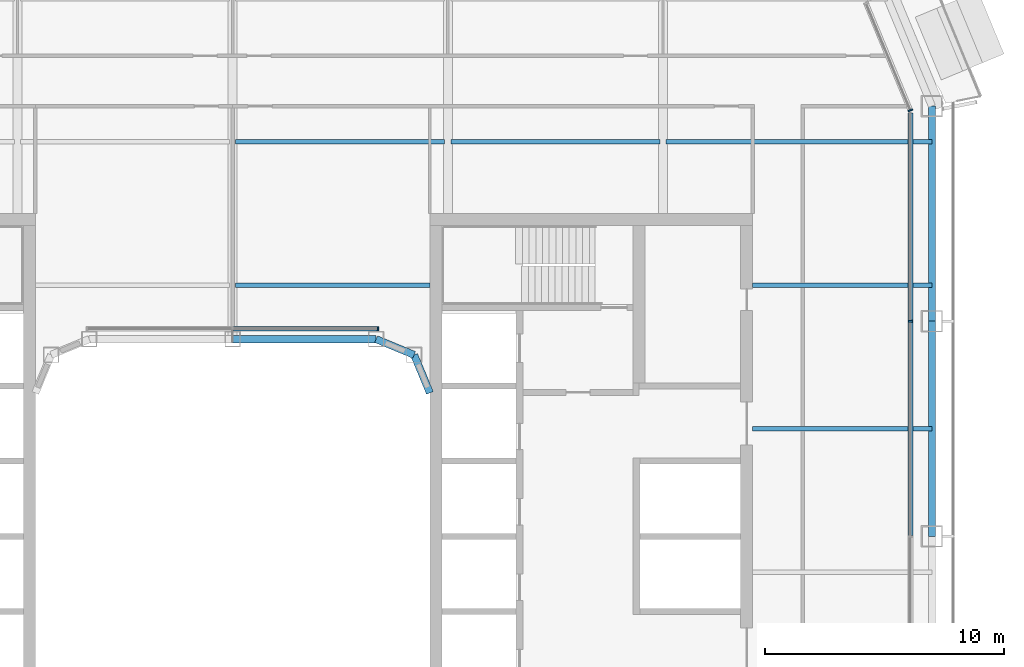
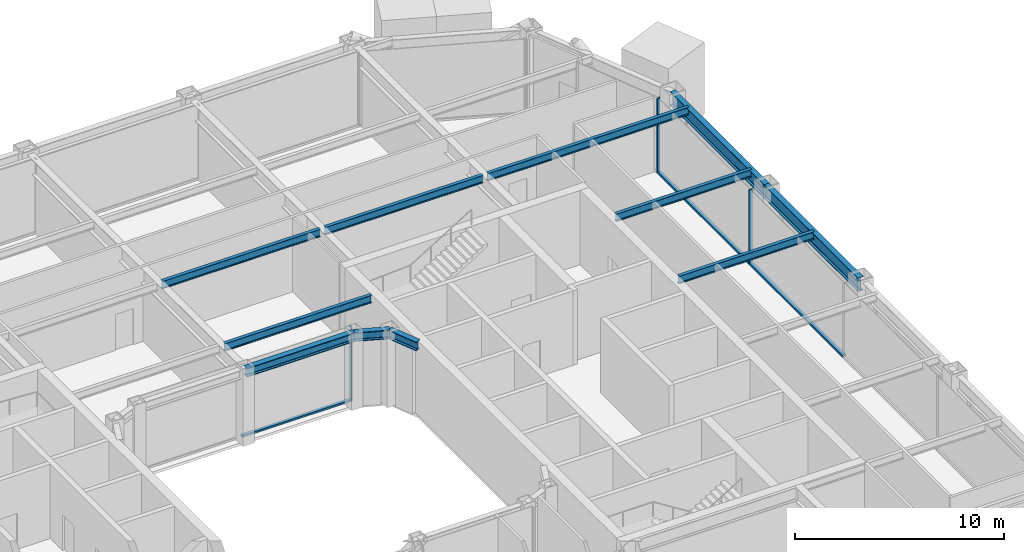
# One storey, part 8 of 23: 11 beams, 6 members, 3 elements without a shape of their own.
"""IFC4 building model written with IfcOpenShell, lengths in metres."""

from ifc_helpers import new_model, si_unit, direction, frame, origin, origin_2d, place, context, subcontext, project, spatial, rectangle, i_section, extrude, material, layer, layer_set, material_profile, profile_set, type_object, element, aggregate, save


model = new_model("IFC4")

# Units and contexts
model_context = context("Model", 3, precision=1e-05, world=origin(), true_north=direction((0.0, 1.0)))
body_context = subcontext(model_context, "Body", "Model", "MODEL_VIEW")
ifc_project = project(units=[si_unit("LENGTHUNIT", "METRE"), si_unit("AREAUNIT", "SQUARE_METRE"), si_unit("VOLUMEUNIT", "CUBIC_METRE"), si_unit("PLANEANGLEUNIT", "RADIAN"), si_unit("MASSUNIT", "GRAM", prefix="KILO")], contexts=[model_context])

# Site, building, storey
site_placement = place(None, origin())
site = spatial("IfcSite", under=ifc_project, at=site_placement, CompositionType="ELEMENT")
building_placement = place(site_placement, origin())
building = spatial("IfcBuilding", under=site, at=building_placement, Name="Siwar Civic Tower", CompositionType="ELEMENT")
storey_placement = place(building_placement, frame((0.0, 0.0, 167.699951171875)))
storey = spatial("IfcBuildingStorey", under=building, at=storey_placement, Name="L36", CompositionType="ELEMENT", Elevation=167.699951171875)

# Curtain wall, member
ifc_material_1 = material(Name="Aluminium and glass", Category="aluminium")
ifc_layer_1 = layer(ifc_material_1, 0.199951171875)
ifc_layer_set_1 = layer_set([ifc_layer_1], Name="Aluminium and glass")
curtain_wall_type_1 = type_object("IfcCurtainWallType", Name="ENV-CW-B", PredefinedType="NOTDEFINED", material=ifc_layer_set_1)
curtain_wall_1_placement = place(storey_placement, origin())
curtain_wall_1 = element("IfcCurtainWall", 1, at=curtain_wall_1_placement, inside=storey, type_object=curtain_wall_type_1, Name="Curtain wall B E", PredefinedType="NOTDEFINED")
ifc_material_2 = material(Name="Aluminium 6063-T6", Category="aluminium")
ifc_material_profile_1 = material_profile(ifc_material_2, rectangle(XDim=0.199951171875, YDim=0.06494140625, at=origin_2d()), Name="AL 200x65")
ifc_profile_set_1 = profile_set([ifc_material_profile_1], Name="Aluminium 6063-T6")
member_type_1 = type_object("IfcMemberType", Name="ENV-MULLION-B", PredefinedType="MULLION", material=ifc_profile_set_1)
member_1_placement = place(storey_placement, frame((28.35009765625, 9.0, 0.0), z_axis=(0.0, 0.0, 1.0), x_axis=(-1.0, 0.0, 0.0)))
member_1 = element("IfcMember", 2, at=member_1_placement, type_object=member_type_1, Name="Mullion B E 4", PredefinedType="MULLION", context=body_context, shape_type="SweptSolid", body=[
    extrude(rectangle(XDim=0.199951171875, YDim=0.06494140625, at=origin_2d()), origin(), (0.0, 0.0, 1.0), 4.35009765625),
])

ifc_material_3 = material(Name="Aluminium clad insulated panel", Category="aluminium")
ifc_layer_2 = layer(ifc_material_3, 0.199951171875)
ifc_layer_set_2 = layer_set([ifc_layer_2], Name="Aluminium clad insulated panel")
curtain_wall_type_2 = type_object("IfcCurtainWallType", Name="ENV-CW-BX", PredefinedType="NOTDEFINED", material=ifc_layer_set_2)
curtain_wall_2_placement = place(storey_placement, origin())
curtain_wall_2 = element("IfcCurtainWall", 3, at=curtain_wall_2_placement, inside=storey, type_object=curtain_wall_type_2, Name="Curtain wall B NE1", PredefinedType="NOTDEFINED")
member_2_placement = place(storey_placement, frame((28.35009765625, 17.821044921875, 0.0), z_axis=(0.0, 0.0, 1.0), x_axis=(-0.923879532511, -0.382683432365, 0.0)))
member_2 = element("IfcMember", 4, at=member_2_placement, type_object=member_type_1, Name="Mullion B NE1 1", PredefinedType="MULLION", context=body_context, shape_type="SweptSolid", body=[
    extrude(rectangle(XDim=0.199951171875, YDim=0.06494140625, at=origin_2d()), origin(), (0.0, 0.0, 1.0), 4.35009765625),
])
aggregate(curtain_wall_2, [member_2])

ifc_material_4 = material(Name="Aluminium and glass", Category="aluminium")
ifc_layer_3 = layer(ifc_material_4, 0.179931640625)
ifc_layer_set_3 = layer_set([ifc_layer_3], Name="Aluminium and glass")
curtain_wall_type_3 = type_object("IfcCurtainWallType", Name="ENV-CW-W", PredefinedType="NOTDEFINED", material=ifc_layer_set_3)
curtain_wall_3_placement = place(storey_placement, origin())
curtain_wall_3 = element("IfcCurtainWall", 5, at=curtain_wall_3_placement, inside=storey, type_object=curtain_wall_type_3, Name="Curtain wall W WN", PredefinedType="NOTDEFINED")
ifc_material_5 = material(Name="Aluminium 6063-T6", Category="aluminium")
ifc_material_profile_2 = material_profile(ifc_material_5, rectangle(XDim=0.179931640625, YDim=0.06005859375, at=origin_2d()), Name="AL 180x60")
ifc_profile_set_2 = profile_set([ifc_material_profile_2], Name="Aluminium 6063-T6")
member_type_2 = type_object("IfcMemberType", Name="ENV-MULLION-W", PredefinedType="MULLION", material=ifc_profile_set_2)
member_3_placement = place(storey_placement, frame((6.08642578125, 8.68505859375, 0.0), z_axis=(0.0, 0.0, 1.0), x_axis=(0.0, -1.0, 0.0)))
member_3 = element("IfcMember", 6, at=member_3_placement, type_object=member_type_2, Name="Mullion W WN 1", PredefinedType="MULLION", context=body_context, shape_type="SweptSolid", body=[
    extrude(rectangle(XDim=0.179931640625, YDim=0.06005859375, at=origin_2d()), origin(), (0.0, 0.0, 1.0), 4.35009765625),
])

# Member
ifc_material_6 = material(Name="Aluminium 6063-T6", Category="aluminium")
ifc_material_profile_3 = material_profile(ifc_material_6, rectangle(XDim=0.199951171875, YDim=0.110107421875, at=origin_2d()), Name="AL 200x110")
ifc_profile_set_3 = profile_set([ifc_material_profile_3], Name="Aluminium 6063-T6")
member_type_3 = type_object("IfcMemberType", Name="ENV-TRANSOM-B", PredefinedType="USERDEFINED", material=ifc_profile_set_3)
member_4_placement = place(storey_placement, frame((28.35009765625, 0.032470703125, 0.054931640625), z_axis=(0.0, 1.0, 0.0), x_axis=(-1.0, 0.0, 0.0)))
member_4 = element("IfcMember", 7, at=member_4_placement, type_object=member_type_3, Name="Transom B E 3", ObjectType="TRANSOM", PredefinedType="USERDEFINED", context=body_context, shape_type="SweptSolid", body=[
    extrude(rectangle(XDim=0.199951171875, YDim=0.110107421875, at=origin_2d()), origin(), (0.0, 0.0, 1.0), 8.93505859375),
])

member_5_placement = place(storey_placement, frame((28.35009765625, 9.032470703125, 0.054931640625), z_axis=(0.0, 1.0, 0.0), x_axis=(-1.0, 0.0, 0.0)))
member_5 = element("IfcMember", 8, at=member_5_placement, type_object=member_type_3, Name="Transom B E 4", ObjectType="TRANSOM", PredefinedType="USERDEFINED", context=body_context, shape_type="SweptSolid", body=[
    extrude(rectangle(XDim=0.199951171875, YDim=0.110107421875, at=origin_2d()), origin(), (0.0, 0.0, 1.0), 8.6748046875),
])

aggregate(curtain_wall_1, [member_1, member_4, member_5])

ifc_material_7 = material(Name="Aluminium 6063-T6", Category="aluminium")
ifc_material_profile_4 = material_profile(ifc_material_7, rectangle(XDim=0.179931640625, YDim=0.10009765625, at=origin_2d()), Name="AL 180x100")
ifc_profile_set_4 = profile_set([ifc_material_profile_4], Name="Aluminium 6063-T6")
member_type_4 = type_object("IfcMemberType", Name="ENV-TRANSOM-W", PredefinedType="USERDEFINED", material=ifc_profile_set_4)
member_6_placement = place(storey_placement, frame((6.056640625, 8.68505859375, 0.050048828125), z_axis=(-1.0, 0.0, 0.0), x_axis=(0.0, -1.0, 0.0)))
member_6 = element("IfcMember", 9, at=member_6_placement, type_object=member_type_4, Name="Transom W WN 1", ObjectType="TRANSOM", PredefinedType="USERDEFINED", context=body_context, shape_type="SweptSolid", body=[
    extrude(rectangle(XDim=0.179931640625, YDim=0.10009765625, at=origin_2d()), origin(), (0.0, 0.0, 1.0), 6.026611328125),
])

aggregate(curtain_wall_3, [member_3, member_6])

# Beams
ifc_material_8 = material(Name="Steel S355", Category="steel")
ifc_material_profile_5 = material_profile(ifc_material_8, i_section(OverallWidth=0.18994140625, OverallDepth=0.449951171875, WebThickness=0.009521484375, FlangeThickness=0.0146484375, FilletRadius=0.02099609375, at=origin_2d()), Name="IPE450")
ifc_profile_set_5 = profile_set([ifc_material_profile_5], Name="Steel S355")
beam_type_1 = type_object("IfcBeamType", Name="STR-FB-IPE450", PredefinedType="JOIST", material=ifc_profile_set_5)
beam_1_placement = place(storey_placement, frame((21.75, 4.5, 4.125), z_axis=(1.0, 0.0, 0.0), x_axis=(0.0, 1.0, 0.0)))
element("IfcBeam", 10, at=beam_1_placement, inside=storey, type_object=beam_type_1, Name="L36/bm/F026", PredefinedType="JOIST", context=body_context, shape_type="SweptSolid", body=[
    extrude(i_section(OverallWidth=0.18994140625, OverallDepth=0.449951171875, WebThickness=0.009521484375, FlangeThickness=0.0146484375, FilletRadius=0.02099609375, at=origin_2d()), origin(), (0.0, 0.0, 1.0), 7.5),
])
beam_2_placement = place(storey_placement, frame((0.1298828125, 10.5, 4.125), z_axis=(1.0, 0.0, 0.0), x_axis=(0.0, 1.0, 0.0)))
element("IfcBeam", 11, at=beam_2_placement, inside=storey, type_object=beam_type_1, Name="L36/bm/F029", PredefinedType="JOIST", context=body_context, shape_type="SweptSolid", body=[
    extrude(i_section(OverallWidth=0.18994140625, OverallDepth=0.449951171875, WebThickness=0.009521484375, FlangeThickness=0.0146484375, FilletRadius=0.02099609375, at=origin_2d()), origin(), (0.0, 0.0, 1.0), 8.1201171875),
])
beam_3_placement = place(storey_placement, frame((21.75, 10.5, 4.125), z_axis=(1.0, 0.0, 0.0), x_axis=(0.0, 1.0, 0.0)))
element("IfcBeam", 12, at=beam_3_placement, inside=storey, type_object=beam_type_1, Name="L36/bm/F030", PredefinedType="JOIST", context=body_context, shape_type="SweptSolid", body=[
    extrude(i_section(OverallWidth=0.18994140625, OverallDepth=0.449951171875, WebThickness=0.009521484375, FlangeThickness=0.0146484375, FilletRadius=0.02099609375, at=origin_2d()), origin(), (0.0, 0.0, 1.0), 7.5),
])
for number, where, z_axis, x_axis, name in (
    (13, (0.1298828125, 16.5, 4.125), (1.0, 0.0, 0.0), (0.0, 1.0, 0.0), "L36/bm/F034"),
    (14, (9.1298828125, 16.5, 4.125), (1.0, 0.0, 0.0), (0.0, 1.0, 0.0), "L36/bm/F035"),
):
    element("IfcBeam", number, at=place(storey_placement, frame(where, z_axis=z_axis, x_axis=x_axis)), inside=storey, type_object=beam_type_1, Name=name, PredefinedType="JOIST", context=body_context, shape_type="SweptSolid", body=[
        extrude(i_section(OverallWidth=0.18994140625, OverallDepth=0.449951171875, WebThickness=0.009521484375, FlangeThickness=0.0146484375, FilletRadius=0.02099609375, at=origin_2d()), origin(), (0.0, 0.0, 1.0), 8.740234375),
    ])
beam_4_placement = place(storey_placement, frame((18.1298828125, 16.5, 4.125), z_axis=(1.0, 0.0, 0.0), x_axis=(0.0, 1.0, 0.0)))
element("IfcBeam", 15, at=beam_4_placement, inside=storey, type_object=beam_type_1, Name="L36/bm/F036", PredefinedType="JOIST", context=body_context, shape_type="SweptSolid", body=[
    extrude(i_section(OverallWidth=0.18994140625, OverallDepth=0.449951171875, WebThickness=0.009521484375, FlangeThickness=0.0146484375, FilletRadius=0.02099609375, at=origin_2d()), origin(), (0.0, 0.0, 1.0), 11.1201171875),
])
ifc_material_9 = material(Name="Steel S355", Category="steel")
ifc_material_profile_6 = material_profile(ifc_material_9, i_section(OverallWidth=0.305908203125, OverallDepth=0.52392578125, WebThickness=0.02099609375, FlangeThickness=0.0400390625, FilletRadius=0.027099609375, at=origin_2d()), Name="HEM500")
ifc_profile_set_6 = profile_set([ifc_material_profile_6], Name="Steel S355")
beam_type_2 = type_object("IfcBeamType", Name="STR-RB-HEM500", PredefinedType="BEAM", material=ifc_profile_set_6)
beam_5_placement = place(storey_placement, frame((0.0, 8.25, 4.088134765625), z_axis=(1.0, 0.0, 0.0), x_axis=(0.0, 1.0, 0.0)))
element("IfcBeam", 16, at=beam_5_placement, inside=storey, type_object=beam_type_2, Name="L36/bm/RN2", PredefinedType="BEAM", context=body_context, shape_type="SweptSolid", body=[
    extrude(i_section(OverallWidth=0.305908203125, OverallDepth=0.52392578125, WebThickness=0.02099609375, FlangeThickness=0.0400390625, FilletRadius=0.027099609375, at=origin_2d()), origin(), (0.0, 0.0, 1.0), 6.0),
])
for number, where, z_axis, x_axis, name in (
    (17, (6.0, 8.25, 4.088134765625), (0.923901072997, -0.382631424892, 0.0), (0.382631424892, 0.923901072997, 0.0), "L36/bm/RN3"),
    (18, (7.591064453125, 7.591064453125, 4.088134765625), (0.382631424892, -0.923901072997, 0.0), (0.923901072997, 0.382631424892, 0.0), "L36/bm/RNEE"),
):
    element("IfcBeam", number, at=place(storey_placement, frame(where, z_axis=z_axis, x_axis=x_axis)), inside=storey, type_object=beam_type_2, Name=name, PredefinedType="BEAM", context=body_context, shape_type="SweptSolid", body=[
        extrude(i_section(OverallWidth=0.305908203125, OverallDepth=0.52392578125, WebThickness=0.02099609375, FlangeThickness=0.0400390625, FilletRadius=0.027099609375, at=origin_2d()), origin(), (0.0, 0.0, 1.0), 1.72216796875),
    ])
ifc_material_10 = material(Name="Steel S355", Category="steel")
ifc_material_profile_7 = material_profile(ifc_material_10, i_section(OverallWidth=0.300048828125, OverallDepth=0.800048828125, WebThickness=0.017578125, FlangeThickness=0.032958984375, FilletRadius=0.030029296875, at=origin_2d()), Name="HEB800")
ifc_profile_set_7 = profile_set([ifc_material_profile_7], Name="Steel S355")
beam_type_3 = type_object("IfcBeamType", Name="STR-SB-HEB800", PredefinedType="BEAM", material=ifc_profile_set_7)
for number, where, z_axis, x_axis, name in (
    (19, (29.25, 0.0, 3.949951171875), (0.0, 1.0, 0.0), (-1.0, 0.0, 0.0), "L36/bm/SE-2"),
    (20, (29.25, 9.0, 3.949951171875), (0.0, 1.0, 0.0), (-1.0, 0.0, 0.0), "L36/bm/SE-3"),
):
    element("IfcBeam", number, at=place(storey_placement, frame(where, z_axis=z_axis, x_axis=x_axis)), inside=storey, type_object=beam_type_3, Name=name, PredefinedType="BEAM", context=body_context, shape_type="SweptSolid", body=[
        extrude(i_section(OverallWidth=0.300048828125, OverallDepth=0.800048828125, WebThickness=0.017578125, FlangeThickness=0.032958984375, FilletRadius=0.030029296875, at=origin_2d()), origin(), (0.0, 0.0, 1.0), 9.0),
    ])

save(model, "model.ifc")
